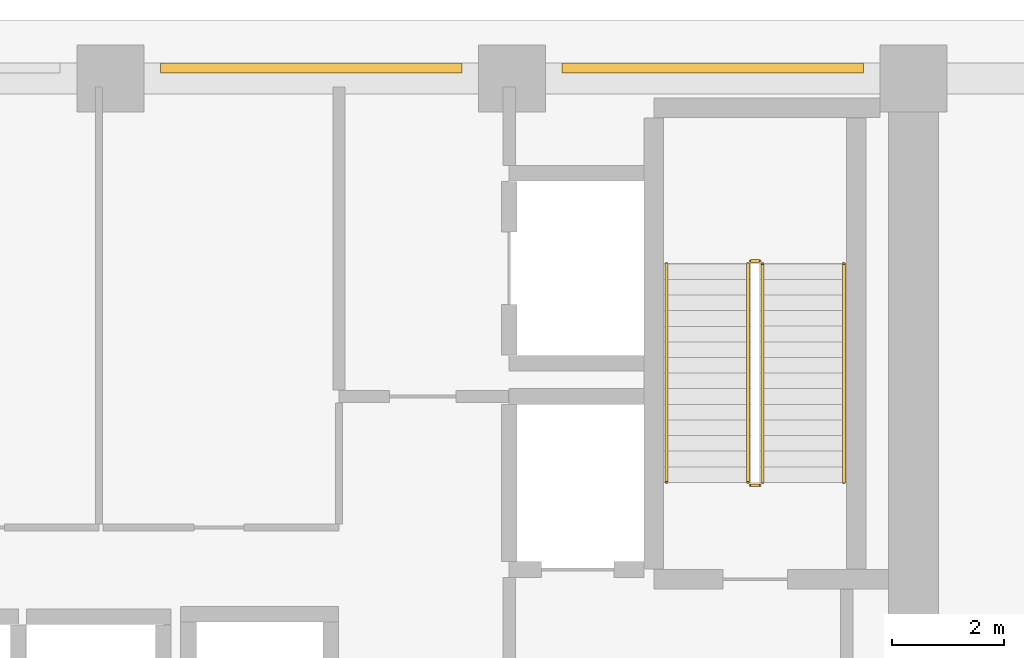
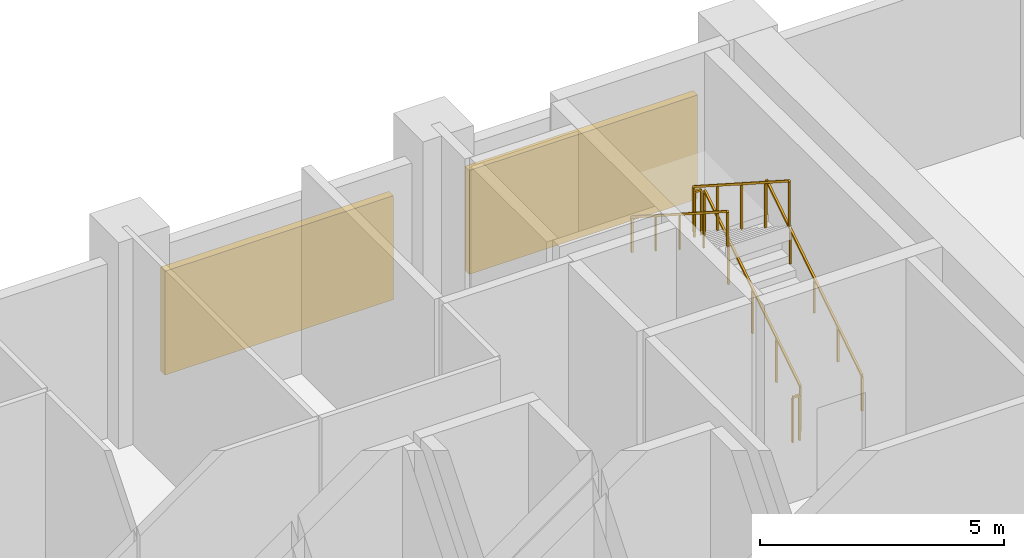
# One storey, part 13 of 13: 6 railings, 2 shading devices.
"""IFC4 building model written with IfcOpenShell, lengths in metres."""

from ifc_helpers import new_model, si_unit, direction, frame, origin, origin_2d, place, context, subcontext, project, spatial, rectangle, extrude, material, type_object, element, save


model = new_model("IFC4")

# Units and contexts
model_context = context("Model", 3, precision=1e-05, world=origin(), true_north=direction((0.0, 1.0)))
body_context = subcontext(model_context, "Body", "Model", "MODEL_VIEW")
ifc_project = project(units=[si_unit("LENGTHUNIT", "METRE"), si_unit("AREAUNIT", "SQUARE_METRE"), si_unit("VOLUMEUNIT", "CUBIC_METRE"), si_unit("PLANEANGLEUNIT", "RADIAN"), si_unit("MASSUNIT", "GRAM", prefix="KILO")], contexts=[model_context])

# Site, building, storey
site_placement = place(None, origin())
site = spatial("IfcSite", under=ifc_project, at=site_placement, CompositionType="ELEMENT")
building_placement = place(site_placement, origin())
building = spatial("IfcBuilding", under=site, at=building_placement, Name="Kaelvorn Grand Hotel", CompositionType="ELEMENT")
storey_placement = place(building_placement, frame((0.0, 0.0, 184.75)))
storey = spatial("IfcBuildingStorey", under=building, at=storey_placement, Name="L45", CompositionType="ELEMENT", Elevation=184.75)

# Railings
ifc_material_1 = material(Name="Stainless Steel", Category="steel")
railing_type_1 = type_object("IfcRailingType", Name="RL-HANDRAIL-900", PredefinedType="HANDRAIL", material=ifc_material_1)
railing_1_placement = place(storey_placement, frame((66.550048828125, 41.760009765625, 0.179931640625)))
element("IfcRailing", 1, at=railing_1_placement, inside=storey, type_object=railing_type_1, Name="L45 ST3 stair handrail 1", PredefinedType="HANDRAIL", context=body_context, shape_type="SweptSolid", body=[
    extrude(rectangle(XDim=0.048095703125, YDim=0.048095703125, at=origin_2d()), frame((0.0, 0.0, 0.8759765625), z_axis=(0.0, 0.841171666519, 0.540768182723), x_axis=(-1.0, 0.0, 0.0)), (0.0, 0.0, 1.0), 4.66015625),
    extrude(rectangle(XDim=0.0419921875, YDim=0.0419921875, at=origin_2d()), origin(), (0.0, 0.0, 1.0), 0.851806640625),
    extrude(rectangle(XDim=0.0419921875, YDim=0.0419921875, at=origin_2d()), frame((0.0, 0.97998046875, 0.6298828125)), (0.0, 0.0, 1.0), 0.851806640625),
    extrude(rectangle(XDim=0.0419921875, YDim=0.0419921875, at=origin_2d()), frame((0.0, 1.9599609375, 1.260009765625)), (0.0, 0.0, 1.0), 0.851806640625),
    extrude(rectangle(XDim=0.0419921875, YDim=0.0419921875, at=origin_2d()), frame((0.0, 2.93994140625, 1.89013671875)), (0.0, 0.0, 1.0), 0.851806640625),
    extrude(rectangle(XDim=0.0419921875, YDim=0.0419921875, at=origin_2d()), frame((0.0, 3.919921875, 2.52001953125)), (0.0, 0.0, 1.0), 0.851806640625),
])
railing_2_placement = place(storey_placement, frame((63.3701171875, 45.679931640625, 2.8798828125)))
element("IfcRailing", 2, at=railing_2_placement, inside=storey, type_object=railing_type_1, Name="L45 ST3 stair handrail 2", PredefinedType="HANDRAIL", context=body_context, shape_type="SweptSolid", body=[
    extrude(rectangle(XDim=0.048095703125, YDim=0.048095703125, at=origin_2d()), frame((0.0, 0.0, 0.8759765625), z_axis=(0.0, -0.841171666519, 0.540768182723), x_axis=(1.0, 0.0, 0.0)), (0.0, 0.0, 1.0), 4.66015625),
    extrude(rectangle(XDim=0.0419921875, YDim=0.0419921875, at=origin_2d()), origin(), (0.0, 0.0, 1.0), 0.851806640625),
    extrude(rectangle(XDim=0.0419921875, YDim=0.0419921875, at=origin_2d()), frame((0.0, -0.97998046875, 0.6298828125)), (0.0, 0.0, 1.0), 0.851806640625),
    extrude(rectangle(XDim=0.0419921875, YDim=0.0419921875, at=origin_2d()), frame((0.0, -1.9599609375, 1.260009765625)), (0.0, 0.0, 1.0), 0.851806640625),
    extrude(rectangle(XDim=0.0419921875, YDim=0.0419921875, at=origin_2d()), frame((0.0, -2.93994140625, 1.89013671875)), (0.0, 0.0, 1.0), 0.851806640625),
    extrude(rectangle(XDim=0.0419921875, YDim=0.0419921875, at=origin_2d()), frame((0.0, -3.919921875, 2.52001953125)), (0.0, 0.0, 1.0), 0.851806640625),
])
railing_type_2 = type_object("IfcRailingType", Name="RL-STAIR-GUARD-1150", PredefinedType="BALUSTRADE", material=ifc_material_1)
railing_3_placement = place(storey_placement, frame((65.090087890625, 41.760009765625, 0.179931640625)))
element("IfcRailing", 3, at=railing_3_placement, inside=storey, type_object=railing_type_2, Name="L45 ST3 stair guard 1", PredefinedType="BALUSTRADE", context=body_context, shape_type="SweptSolid", body=[
    extrude(rectangle(XDim=0.048095703125, YDim=0.048095703125, at=origin_2d()), frame((0.0, 0.0, 1.1259765625), z_axis=(0.0, 0.841171666519, 0.540768182723), x_axis=(-1.0, 0.0, 0.0)), (0.0, 0.0, 1.0), 4.66015625),
    extrude(rectangle(XDim=0.0419921875, YDim=0.0419921875, at=origin_2d()), origin(), (0.0, 0.0, 1.0), 1.101806640625),
    extrude(rectangle(XDim=0.0419921875, YDim=0.0419921875, at=origin_2d()), frame((0.0, 0.97998046875, 0.6298828125)), (0.0, 0.0, 1.0), 1.101806640625),
    extrude(rectangle(XDim=0.0419921875, YDim=0.0419921875, at=origin_2d()), frame((0.0, 1.9599609375, 1.260009765625)), (0.0, 0.0, 1.0), 1.101806640625),
    extrude(rectangle(XDim=0.0419921875, YDim=0.0419921875, at=origin_2d()), frame((0.0, 2.93994140625, 1.89013671875)), (0.0, 0.0, 1.0), 1.101806640625),
    extrude(rectangle(XDim=0.0419921875, YDim=0.0419921875, at=origin_2d()), frame((0.0, 3.919921875, 2.52001953125)), (0.0, 0.0, 1.0), 1.101806640625),
])
railing_4_placement = place(storey_placement, frame((65.0400390625, 45.72998046875, 2.699951171875)))
element("IfcRailing", 4, at=railing_4_placement, inside=storey, type_object=railing_type_2, Name="L45 ST3 stair guard 2", PredefinedType="BALUSTRADE", context=body_context, shape_type="SweptSolid", body=[
    extrude(rectangle(XDim=0.048095703125, YDim=0.048095703125, at=origin_2d()), frame((0.0, 0.0, 1.1259765625), z_axis=(-1.0, 0.0, 0.0), x_axis=(0.0, -1.0, 0.0)), (0.0, 0.0, 1.0), 0.16015625),
    extrude(rectangle(XDim=0.0419921875, YDim=0.0419921875, at=origin_2d()), origin(), (0.0, 0.0, 1.0), 1.101806640625),
    extrude(rectangle(XDim=0.0419921875, YDim=0.0419921875, at=origin_2d()), frame((-0.16015625, 0.0, 0.0)), (0.0, 0.0, 1.0), 1.101806640625),
])
railing_5_placement = place(storey_placement, frame((64.830078125, 45.679931640625, 2.8798828125)))
element("IfcRailing", 5, at=railing_5_placement, inside=storey, type_object=railing_type_2, Name="L45 ST3 stair guard 3", PredefinedType="BALUSTRADE", context=body_context, shape_type="SweptSolid", body=[
    extrude(rectangle(XDim=0.048095703125, YDim=0.048095703125, at=origin_2d()), frame((0.0, 0.0, 1.1259765625), z_axis=(0.0, -0.841171666519, 0.540768182723), x_axis=(1.0, 0.0, 0.0)), (0.0, 0.0, 1.0), 4.66015625),
    extrude(rectangle(XDim=0.0419921875, YDim=0.0419921875, at=origin_2d()), origin(), (0.0, 0.0, 1.0), 1.101806640625),
    extrude(rectangle(XDim=0.0419921875, YDim=0.0419921875, at=origin_2d()), frame((0.0, -0.97998046875, 0.6298828125)), (0.0, 0.0, 1.0), 1.101806640625),
    extrude(rectangle(XDim=0.0419921875, YDim=0.0419921875, at=origin_2d()), frame((0.0, -1.9599609375, 1.260009765625)), (0.0, 0.0, 1.0), 1.101806640625),
    extrude(rectangle(XDim=0.0419921875, YDim=0.0419921875, at=origin_2d()), frame((0.0, -2.93994140625, 1.89013671875)), (0.0, 0.0, 1.0), 1.101806640625),
    extrude(rectangle(XDim=0.0419921875, YDim=0.0419921875, at=origin_2d()), frame((0.0, -3.919921875, 2.52001953125)), (0.0, 0.0, 1.0), 1.101806640625),
])
railing_6_placement = place(storey_placement, frame((65.0400390625, 41.7099609375, 0.0)))
element("IfcRailing", 6, at=railing_6_placement, inside=storey, type_object=railing_type_2, Name="L45 ST3 stair guard 4", PredefinedType="BALUSTRADE", context=body_context, shape_type="SweptSolid", body=[
    extrude(rectangle(XDim=0.048095703125, YDim=0.048095703125, at=origin_2d()), frame((0.0, 0.0, 1.1259765625), z_axis=(-1.0, 0.0, 0.0), x_axis=(0.0, -1.0, 0.0)), (0.0, 0.0, 1.0), 0.16015625),
    extrude(rectangle(XDim=0.0419921875, YDim=0.0419921875, at=origin_2d()), origin(), (0.0, 0.0, 1.0), 1.101806640625),
    extrude(rectangle(XDim=0.0419921875, YDim=0.0419921875, at=origin_2d()), frame((-0.16015625, 0.0, 0.0)), (0.0, 0.0, 1.0), 1.101806640625),
])

# Shading devices
ifc_material_2 = material(Name="Anodised Aluminium", Category="aluminium")
shading_device_type = type_object("IfcShadingDeviceType", Name="SHD-LOUVRE-PLANT", PredefinedType="USERDEFINED", material=ifc_material_2)
for number, where, z_axis, x_axis, name in (
    (7, (57.0, 49.18994140625, 0.89990234375), (0.0, 0.0, 1.0), (1.0, 0.0, 0.0), "L45 Mechanical Plant Aluminium Louvre Screen N6"),
    (8, (64.199951171875, 49.18994140625, 0.89990234375), (0.0, 0.0, 1.0), (1.0, 0.0, 0.0), "L45 Mechanical Plant Aluminium Louvre Screen N7"),
):
    element("IfcShadingDevice", number, at=place(storey_placement, frame(where, z_axis=z_axis, x_axis=x_axis)), inside=storey, type_object=shading_device_type, Name=name, ObjectType="LOUVRE", PredefinedType="USERDEFINED", context=body_context, shape_type="SweptSolid", body=[
        extrude(rectangle(XDim=5.39990234375, YDim=0.179931640625, at=origin_2d()), origin(), (0.0, 0.0, 1.0), 2.60009765625),
    ])

save(model, "model.ifc")
